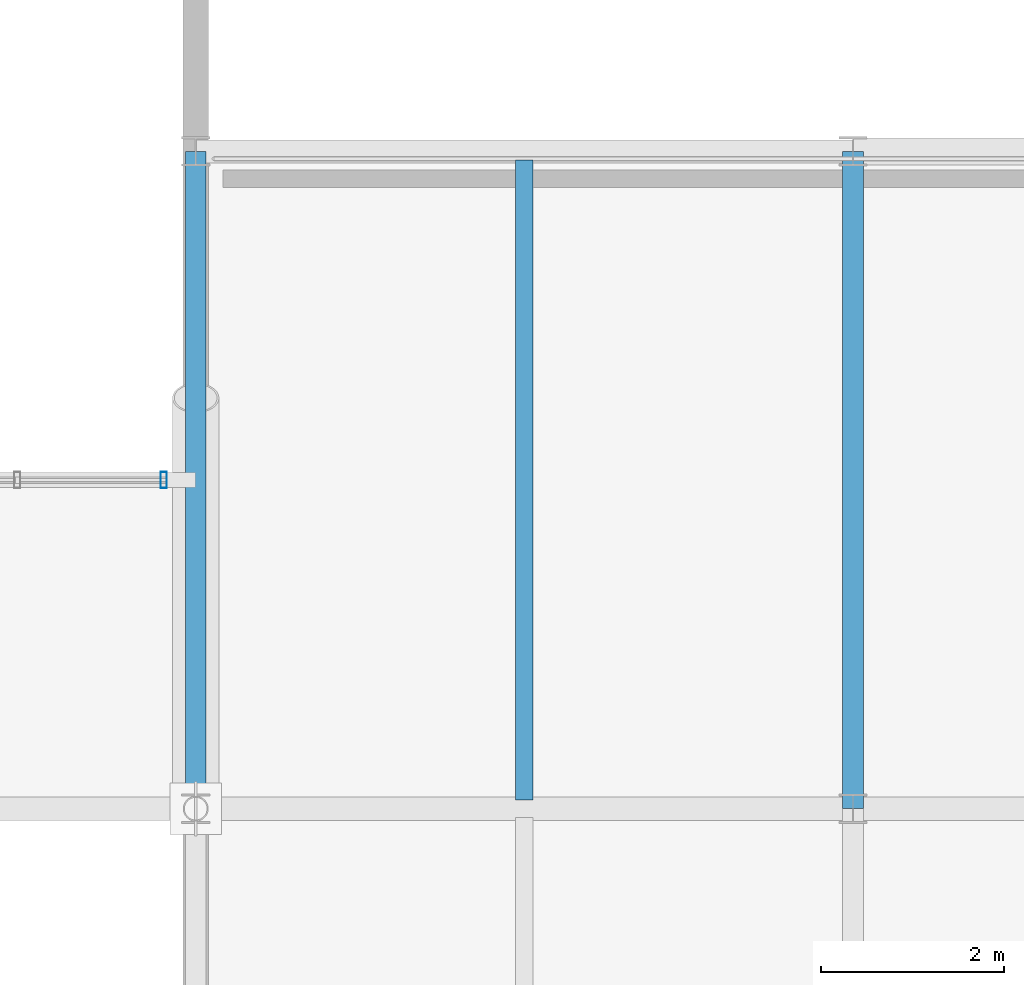
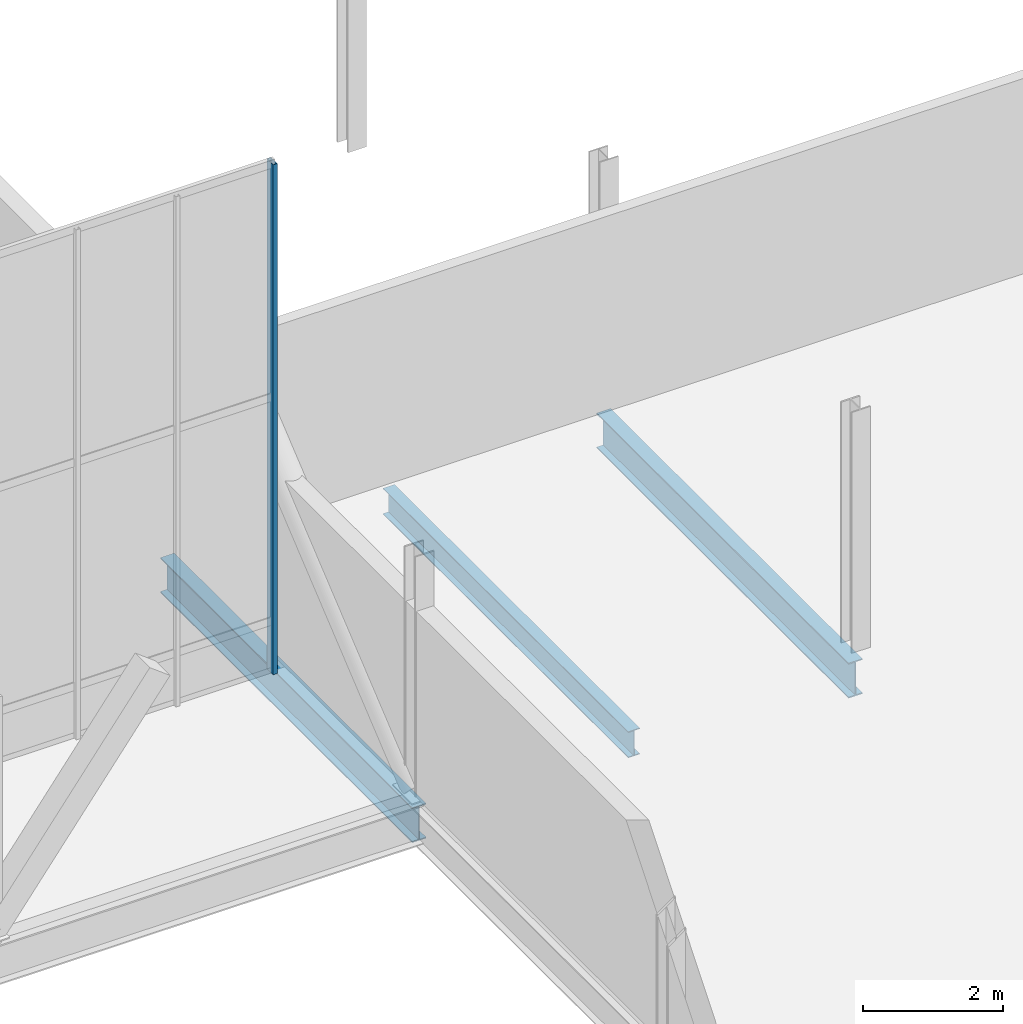
# One storey, part 54 of 102: 3 beams, 1 member, 1 element without a shape of its own.
"""IFC4 building model written with IfcOpenShell, lengths in metres."""

import ifcopenshell
import ifcopenshell.guid

model = None  # the IFC model being written
_history = None  # IfcOwnerHistory: only IFC2X3 demands one
_inside = {}  # id of a spatial element -> (the spatial element, [elements in it])
_under = {}  # id of a project, library or spatial element -> (it, [spatial elements below it])
_declared = {}  # id of a project -> (the project, [libraries it declares])
_typed = {}  # id of a type object -> (the type object, [elements of that type])
_made_of = {}  # id of a material, layer set ... -> (it, [elements and type objects made of it])


def new_model(schema):
    """Start an empty IFC model of exactly this schema.

    Asked for "IFC4X3", IfcOpenShell would pick the latest addendum, in which some entities
    have other attributes; the version numbers below select the first issue.
    IFC2X3 requires an IfcOwnerHistory on every rooted entity: one is made here for all.
    """
    global model, _history
    if schema == "IFC4X3":
        model = ifcopenshell.file(schema_version=(4, 3, 0, 0))
    else:
        model = ifcopenshell.file(schema=schema)
    _inside.clear()
    _under.clear()
    _declared.clear()
    _typed.clear()
    _made_of.clear()
    _history = None
    if model.schema == "IFC2X3":
        org = make("IfcOrganization", Name="unknown")
        user = make(
            "IfcPersonAndOrganization",
            ThePerson=make("IfcPerson", FamilyName="unknown"),
            TheOrganization=org,
        )
        app = make(
            "IfcApplication",
            ApplicationDeveloper=org,
            Version="unknown",
            ApplicationFullName="unknown",
            ApplicationIdentifier="unknown",
        )
        _history = make(
            "IfcOwnerHistory",
            OwningUser=user,
            OwningApplication=app,
            ChangeAction="ADDED",
            CreationDate=0,
        )
    return model


def make(cls, **values):
    """One entity of the class cls with the attributes given. An attribute that is None is left unset."""
    return model.create_entity(
        cls, **{name: value for name, value in values.items() if value is not None}
    )


def rooted(cls, **values):
    """An entity with a GlobalId (a new one), such as an element, a storey or a relation."""
    return make(cls, GlobalId=ifcopenshell.guid.new(), OwnerHistory=_history, **values)


def si_unit(unit_type, name, prefix=None):
    """IfcSIUnit, for example si_unit("LENGTHUNIT", "METRE", prefix="MILLI")."""
    return make("IfcSIUnit", UnitType=unit_type, Prefix=prefix, Name=name)


def assignment(units):
    """IfcUnitAssignment: the units of a project."""
    return None if units is None else make("IfcUnitAssignment", Units=units)


def point(xyz):
    """IfcCartesianPoint."""
    return None if xyz is None else make("IfcCartesianPoint", Coordinates=xyz)


def direction(xyz):
    """IfcDirection."""
    return None if xyz is None else make("IfcDirection", DirectionRatios=xyz)


def frame(location, z_axis=None, x_axis=None):
    """IfcAxis2Placement3D, a coordinate frame: its origin and axes. An axis left out is left unset."""
    return make(
        "IfcAxis2Placement3D",
        Location=point(location),
        Axis=direction(z_axis),
        RefDirection=direction(x_axis),
    )


def frame_2d(location, x_axis=None):
    """IfcAxis2Placement2D, a coordinate frame in the plane: its origin and x axis."""
    return make(
        "IfcAxis2Placement2D", Location=point(location), RefDirection=direction(x_axis)
    )


def origin():
    """The frame at (0, 0, 0) with its axes left unset."""
    return frame((0.0, 0.0, 0.0))


def origin_2d():
    """The frame at (0, 0) in the plane with its x axis left unset."""
    return frame_2d((0.0, 0.0))


def place(relative_to, where):
    """IfcLocalPlacement: puts the frame where relative to a parent placement (None: the world)."""
    return make(
        "IfcLocalPlacement", PlacementRelTo=relative_to, RelativePlacement=where
    )


def context(
    kind, dimensions, precision=None, world=None, true_north=None, identifier=None
):
    """IfcGeometricRepresentationContext, for example the 3D "Model" context."""
    return make(
        "IfcGeometricRepresentationContext",
        ContextIdentifier=identifier,
        ContextType=kind,
        CoordinateSpaceDimension=dimensions,
        Precision=precision,
        WorldCoordinateSystem=world,
        TrueNorth=true_north,
    )


def subcontext(parent, identifier, kind, view, scale=None):
    """IfcGeometricRepresentationSubContext, for example "Body" below "Model"."""
    return make(
        "IfcGeometricRepresentationSubContext",
        ContextIdentifier=identifier,
        ContextType=kind,
        ParentContext=parent,
        TargetScale=scale,
        TargetView=view,
    )


def project(units=None, contexts=None):
    """IfcProject with its units and contexts."""
    return rooted(
        "IfcProject",
        Name="project",
        RepresentationContexts=contexts,
        UnitsInContext=assignment(units),
    )


def spatial(cls, under=None, at=None, **own):
    """A site, building, storey or space (cls), placed at a placement, below another one or the project."""
    s = rooted(cls, ObjectPlacement=at, **own)
    if under is not None:
        _under.setdefault(under.id(), (under, []))[1].append(s)
    return s


def profile(cls, at=None, kind="AREA", **sizes):
    """A parametric profile (cls). Its sizes go by their IFC names, for example OverallWidth=200.0."""
    return make(cls, ProfileType=kind, Position=at, **sizes)


def hollow_rectangle(**sizes):
    """IfcRectangleHollowProfileDef."""
    return profile("IfcRectangleHollowProfileDef", **sizes)


def i_section(**sizes):
    """IfcIShapeProfileDef."""
    return profile("IfcIShapeProfileDef", **sizes)


def extrude(swept, where, along, depth):
    """IfcExtrudedAreaSolid: the profile swept, set in the frame where, extruded along a direction by depth."""
    return make(
        "IfcExtrudedAreaSolid",
        SweptArea=swept,
        Position=where,
        ExtrudedDirection=direction(along),
        Depth=depth,
    )


def shape(context_of_items, identifier, shape_type, items):
    """IfcShapeRepresentation: the items that make up one representation, for example the "Body"."""
    return make(
        "IfcShapeRepresentation",
        ContextOfItems=context_of_items,
        RepresentationIdentifier=identifier,
        RepresentationType=shape_type,
        Items=items,
    )


def material(Name=None, Category=None):
    """IfcMaterial."""
    return make("IfcMaterial", Name=Name, Category=Category)


def material_profile(
    of_material, cross_section, Name=None, Category=None, Priority=None
):
    """IfcMaterialProfile: a cross section and its material."""
    return make(
        "IfcMaterialProfile",
        Name=Name,
        Material=of_material,
        Profile=cross_section,
        Priority=Priority,
        Category=Category,
    )


def profile_set(profiles, Name=None, composite=None):
    """IfcMaterialProfileSet."""
    return make(
        "IfcMaterialProfileSet",
        Name=Name,
        MaterialProfiles=profiles,
        CompositeProfile=composite,
    )


def made_of(thing, what):
    """Note that an element or type object is made of a material, layer set ...; save() writes the relation."""
    if what is not None:
        _made_of.setdefault(what.id(), (what, []))[1].append(thing)
    return thing


def type_object(cls, material=None, **own):
    """A type object (cls), such as IfcWallType, which elements share."""
    return made_of(rooted(cls, **own), material)


def element(
    cls,
    number,
    at=None,
    inside=None,
    cuts=None,
    type_object=None,
    material=None,
    context=None,
    identifier="Body",
    shape_type=None,
    held_by="IfcProductDefinitionShape",
    body=None,
    shapes=None,
    **own,
):
    """One element of the class cls, such as IfcWall. Its Tag is "e" and its number.

    at: its placement. inside: the storey or other place that contains it. cuts: it is an
    opening in that element (IfcRelVoidsElement). A single representation is given by context,
    identifier, shape_type and body (its items); several are given by shapes. held_by: the class
    of the entity that holds the representations. save() writes the other relations.
    """
    e = rooted(cls, Tag="e%d" % number, ObjectPlacement=at, **own)
    if body is not None:
        shapes = [shape(context, identifier, shape_type, body)]
    if shapes is not None:
        e.Representation = make(held_by, Representations=shapes)
    if inside is not None:
        _inside.setdefault(inside.id(), (inside, []))[1].append(e)
    if cuts is not None:
        rooted(
            "IfcRelVoidsElement", RelatingBuildingElement=cuts, RelatedOpeningElement=e
        )
    if type_object is not None:
        _typed.setdefault(type_object.id(), (type_object, []))[1].append(e)
    return made_of(e, material)


def aggregate(whole, parts):
    """IfcRelAggregates: a whole, such as a stair, and the parts it consists of."""
    return rooted("IfcRelAggregates", RelatingObject=whole, RelatedObjects=parts)


def save(model, path):
    """Write the relations noted so far, then the file.

    IfcRelAggregates (storeys below a building ...), IfcRelContainedInSpatialStructure (elements
    in a storey), IfcRelDefinesByType, IfcRelAssociatesMaterial and IfcRelDeclares: one each for
    every whole, place, type object, material and project.
    """
    for whole, parts in _under.values():
        aggregate(whole, parts)
    for where, things in _inside.values():
        rooted(
            "IfcRelContainedInSpatialStructure",
            RelatedElements=things,
            RelatingStructure=where,
        )
    for kind, things in _typed.values():
        rooted("IfcRelDefinesByType", RelatedObjects=things, RelatingType=kind)
    for what, things in _made_of.values():
        rooted("IfcRelAssociatesMaterial", RelatedObjects=things, RelatingMaterial=what)
    for by, libraries in _declared.values():
        rooted("IfcRelDeclares", RelatingContext=by, RelatedDefinitions=libraries)
    model.write(path)


model = new_model("IFC4")

# Units and contexts
model_context = context("Model", 3, precision=1e-05, world=origin(), true_north=direction((0.0, 1.0)))
body_context = subcontext(model_context, "Body", "Model", "MODEL_VIEW")
ifc_project = project(units=[si_unit("LENGTHUNIT", "METRE"), si_unit("AREAUNIT", "SQUARE_METRE"), si_unit("VOLUMEUNIT", "CUBIC_METRE"), si_unit("PLANEANGLEUNIT", "RADIAN"), si_unit("MASSUNIT", "GRAM", prefix="KILO")], contexts=[model_context])

# Site, building, storey
site_placement = place(None, origin())
site = spatial("IfcSite", under=ifc_project, at=site_placement, CompositionType="ELEMENT")
building_placement = place(site_placement, origin())
building = spatial("IfcBuilding", under=site, at=building_placement, Name="Yarey Park Central Fire Station", CompositionType="ELEMENT")
storey_placement = place(building_placement, frame((0.0, 0.0, 6.0)))
storey = spatial("IfcBuildingStorey", under=building, at=storey_placement, Name="L02", CompositionType="ELEMENT", Elevation=6.0)

# Curtain wall, member
ifc_material_1 = material(Name="Anodized Aluminium Frame", Category="aluminium")
curtain_wall_type = type_object("IfcCurtainWallType", Name="ENV_CW_CLER_9M", PredefinedType="NOTDEFINED", material=ifc_material_1)
curtain_wall_placement = place(storey_placement, origin())
curtain_wall = element("IfcCurtainWall", 1, at=curtain_wall_placement, inside=storey, type_object=curtain_wall_type, Name="CW_V2_CLER_S_11", PredefinedType="NOTDEFINED")
ifc_material_profile_1 = material_profile(ifc_material_1, hollow_rectangle(XDim=0.070068359375, YDim=0.179931640625, WallThickness=0.00390625, at=origin_2d()), Name="ALU 180x70x4")
ifc_profile_set_1 = profile_set([ifc_material_profile_1], Name="Anodized Aluminium Frame")
member_type = type_object("IfcMemberType", Name="ENV_CW_MULLION", PredefinedType="MULLION", material=ifc_profile_set_1)
member_placement = place(storey_placement, frame((136.449951171875, 61.199951171875, 0.0), z_axis=(0.0, 0.0, 1.0), x_axis=(1.0, 0.0, 0.0)))
member = element("IfcMember", 2, at=member_placement, type_object=member_type, Name="CW_V2_CLER_S_11_MUL5", PredefinedType="MULLION", context=body_context, shape_type="SweptSolid", body=[
    extrude(hollow_rectangle(XDim=0.070068359375, YDim=0.179931640625, WallThickness=0.00390625, at=origin_2d()), origin(), (0.0, 0.0, 1.0), 8.89990234375),
])
aggregate(curtain_wall, [member])

# Beams
ifc_material_2 = material(Name="Steel ASTM A992 Gr. 50", Category="steel")
ifc_material_profile_2 = material_profile(ifc_material_2, i_section(OverallWidth=0.22900390625, OverallDepth=0.612060546875, WebThickness=0.011962890625, FlangeThickness=0.01953125, at=origin_2d()), Name="W610x125")
ifc_profile_set_2 = profile_set([ifc_material_profile_2], Name="Steel ASTM A992 Gr. 50")
beam_type_1 = type_object("IfcBeamType", Name="STR_BM_W610", PredefinedType="BEAM", material=ifc_profile_set_2)
for number, where, z_axis, x_axis, name in (
    (3, (136.800048828125, 57.60009765625, -0.591064453125), (0.0, 1.0, 0.0), (-1.0, 0.0, 0.0), "BMY L02 X1368 Y576"),
    (4, (144.0, 57.60009765625, -0.591064453125), (0.0, 1.0, 0.0), (-1.0, 0.0, 0.0), "BMY L02 X1440 Y576"),
):
    element("IfcBeam", number, at=place(storey_placement, frame(where, z_axis=z_axis, x_axis=x_axis)), inside=storey, type_object=beam_type_1, Name=name, PredefinedType="BEAM", context=body_context, shape_type="SweptSolid", body=[
        extrude(i_section(OverallWidth=0.22900390625, OverallDepth=0.612060546875, WebThickness=0.011962890625, FlangeThickness=0.01953125, at=origin_2d()), origin(), (0.0, 0.0, 1.0), 7.199951171875),
    ])
ifc_material_profile_3 = material_profile(ifc_material_2, i_section(OverallWidth=0.18994140625, OverallDepth=0.45703125, WebThickness=0.009033203125, FlangeThickness=0.014404296875, at=origin_2d()), Name="W460x74")
ifc_profile_set_3 = profile_set([ifc_material_profile_3], Name="Steel ASTM A992 Gr. 50")
beam_type_2 = type_object("IfcBeamType", Name="STR_JST_W460", PredefinedType="JOIST", material=ifc_profile_set_3)
beam_placement = place(storey_placement, frame((140.39990234375, 57.695068359375, -0.513427734375), z_axis=(0.0, 1.0, 0.0), x_axis=(-1.0, 0.0, 0.0)))
element("IfcBeam", 5, at=beam_placement, inside=storey, type_object=beam_type_2, Name="JST L02 X1404 Y576", PredefinedType="JOIST", context=body_context, shape_type="SweptSolid", body=[
    extrude(i_section(OverallWidth=0.18994140625, OverallDepth=0.45703125, WebThickness=0.009033203125, FlangeThickness=0.014404296875, at=origin_2d()), origin(), (0.0, 0.0, 1.0), 7.010009765625),
])

save(model, "model.ifc")
